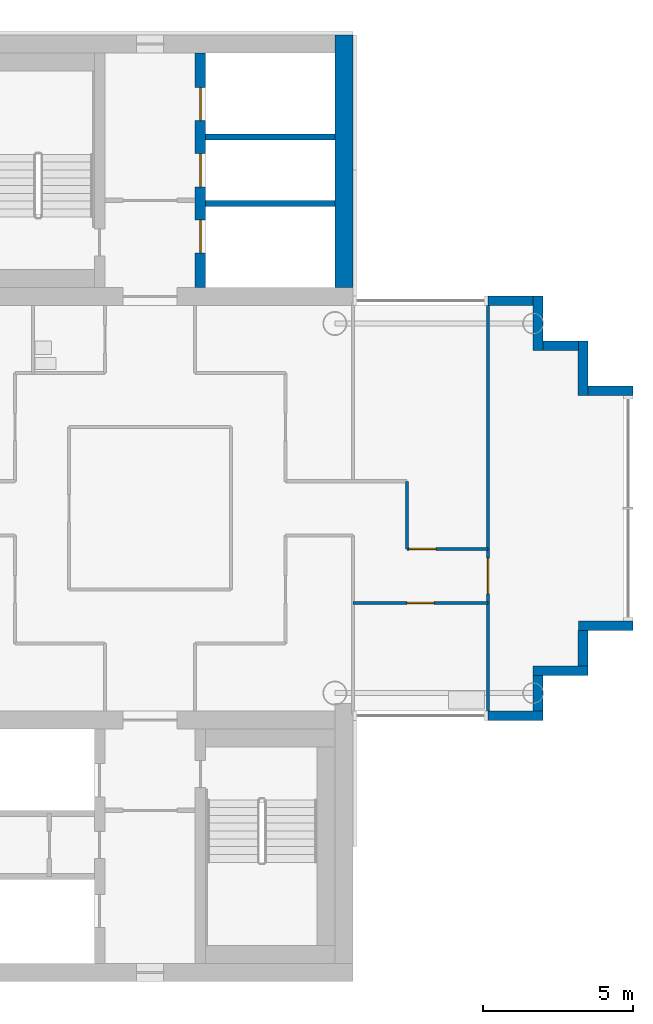
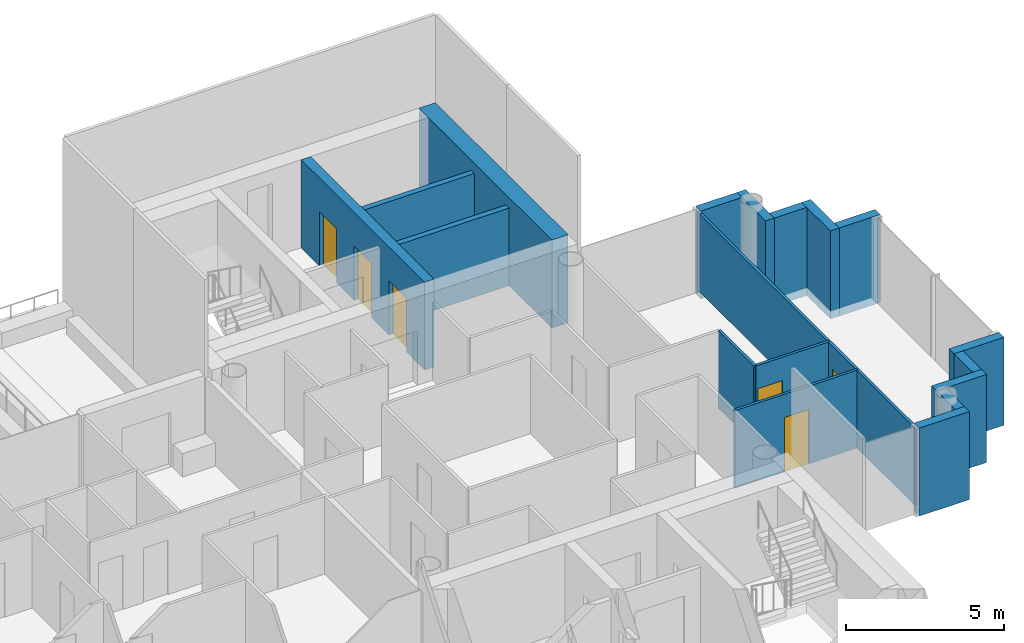
# One storey, part 11 of 18: 18 walls, 6 doors, 6 openings.
"""IFC4 building model written with IfcOpenShell, lengths in metres."""

from ifc_helpers import new_model, si_unit, direction, frame, frame_2d, origin, place, context, subcontext, project, spatial, rectangle, extrude, material, layer, layer_set, type_object, element, fill, save


model = new_model("IFC4")

# Units and contexts
model_context = context("Model", 3, precision=1e-05, world=origin(), true_north=direction((0.0, 1.0)))
body_context = subcontext(model_context, "Body", "Model", "MODEL_VIEW")
ifc_project = project(units=[si_unit("LENGTHUNIT", "METRE"), si_unit("AREAUNIT", "SQUARE_METRE"), si_unit("VOLUMEUNIT", "CUBIC_METRE"), si_unit("PLANEANGLEUNIT", "RADIAN"), si_unit("MASSUNIT", "GRAM", prefix="KILO")], contexts=[model_context])

# Site, building, storey
site_placement = place(None, origin())
site = spatial("IfcSite", under=ifc_project, at=site_placement, CompositionType="ELEMENT")
building_placement = place(site_placement, origin())
building = spatial("IfcBuilding", under=site, at=building_placement, Name="Ipe Terrace Towers", CompositionType="ELEMENT")
storey_placement = place(building_placement, frame((0.0, 0.0, 199.39990234375)))
storey = spatial("IfcBuildingStorey", under=building, at=storey_placement, Name="L55", CompositionType="ELEMENT", Elevation=199.39990234375)

# Walls
ifc_material_1 = material(Name="Concrete C40/50 with buff precast cladding", Category="concrete")
ifc_layer_1 = layer(ifc_material_1, 0.320068359375)
ifc_layer_set_1 = layer_set([ifc_layer_1], Name="BUFF CLADDING WALL 320")
wall_type_1 = type_object("IfcWallType", Name="BUFF CLADDING WALL 320", PredefinedType="STANDARD", material=ifc_layer_set_1)
wall_1_placement = place(storey_placement, frame((47.25, -6.909912109375, -0.2998046875), z_axis=(0.0, 0.0, 1.0), x_axis=(1.0, 0.0, 0.0)))
element("IfcWall", 1, at=wall_1_placement, inside=storey, type_object=wall_type_1, Name="T2-W-L55-03a wall", PredefinedType="STANDARD", context=body_context, shape_type="SweptSolid", body=[
    extrude(rectangle(XDim=1.820068359375, YDim=0.320068359375, at=frame_2d((0.91015625, 0.0))), origin(), (0.0, 0.0, 1.0), 3.39990234375),
])
wall_2_placement = place(storey_placement, frame((48.909912109375, -6.75, -0.2998046875), z_axis=(0.0, 0.0, 1.0), x_axis=(0.0, 1.0, 0.0)))
element("IfcWall", 2, at=wall_2_placement, inside=storey, type_object=wall_type_1, Name="T2-W-L55-04a wall", PredefinedType="STANDARD", context=body_context, shape_type="SweptSolid", body=[
    extrude(rectangle(XDim=1.179931640625, YDim=0.320068359375, at=frame_2d((0.58984375, 0.0))), origin(), (0.0, 0.0, 1.0), 3.39990234375),
])
wall_3_placement = place(storey_placement, frame((48.75, -5.409912109375, -0.2998046875), z_axis=(0.0, 0.0, 1.0), x_axis=(1.0, 0.0, 0.0)))
element("IfcWall", 3, at=wall_3_placement, inside=storey, type_object=wall_type_1, Name="T2-W-L55-05a wall", PredefinedType="STANDARD", context=body_context, shape_type="SweptSolid", body=[
    extrude(rectangle(XDim=1.820068359375, YDim=0.320068359375, at=frame_2d((0.91015625, 0.0))), origin(), (0.0, 0.0, 1.0), 3.39990234375),
])
wall_4_placement = place(storey_placement, frame((50.409912109375, -5.25, -0.2998046875), z_axis=(0.0, 0.0, 1.0), x_axis=(0.0, 1.0, 0.0)))
element("IfcWall", 4, at=wall_4_placement, inside=storey, type_object=wall_type_1, Name="T2-W-L55-06a wall", PredefinedType="STANDARD", context=body_context, shape_type="SweptSolid", body=[
    extrude(rectangle(XDim=1.179931640625, YDim=0.320068359375, at=frame_2d((0.58984375, 0.0))), origin(), (0.0, 0.0, 1.0), 3.39990234375),
])
wall_5_placement = place(storey_placement, frame((50.25, -3.909912109375, -0.2998046875), z_axis=(0.0, 0.0, 1.0), x_axis=(1.0, 0.0, 0.0)))
element("IfcWall", 5, at=wall_5_placement, inside=storey, type_object=wall_type_1, Name="T2-W-L55-07a wall", PredefinedType="STANDARD", context=body_context, shape_type="SweptSolid", body=[
    extrude(rectangle(XDim=1.820068359375, YDim=0.320068359375, at=frame_2d((0.91015625, 0.0))), origin(), (0.0, 0.0, 1.0), 3.39990234375),
])
wall_6_placement = place(storey_placement, frame((52.070068359375, 3.909912109375, -0.2998046875), z_axis=(0.0, 0.0, 1.0), x_axis=(-1.0, 0.0, 0.0)))
element("IfcWall", 6, at=wall_6_placement, inside=storey, type_object=wall_type_1, Name="T2-W-L55-09a wall", PredefinedType="STANDARD", context=body_context, shape_type="SweptSolid", body=[
    extrude(rectangle(XDim=1.5, YDim=0.320068359375, at=frame_2d((0.75, 0.0))), origin(), (0.0, 0.0, 1.0), 3.39990234375),
])
wall_7_placement = place(storey_placement, frame((50.409912109375, 3.75, -0.2998046875), z_axis=(0.0, 0.0, 1.0), x_axis=(0.0, 1.0, 0.0)))
element("IfcWall", 7, at=wall_7_placement, inside=storey, type_object=wall_type_1, Name="T2-W-L55-10a wall", PredefinedType="STANDARD", context=body_context, shape_type="SweptSolid", body=[
    extrude(rectangle(XDim=1.820068359375, YDim=0.320068359375, at=frame_2d((0.91015625, 0.0))), origin(), (0.0, 0.0, 1.0), 3.39990234375),
])
wall_8_placement = place(storey_placement, frame((50.25, 5.409912109375, -0.2998046875), z_axis=(0.0, 0.0, 1.0), x_axis=(-1.0, 0.0, 0.0)))
element("IfcWall", 8, at=wall_8_placement, inside=storey, type_object=wall_type_1, Name="T2-W-L55-11a wall", PredefinedType="STANDARD", context=body_context, shape_type="SweptSolid", body=[
    extrude(rectangle(XDim=1.179931640625, YDim=0.320068359375, at=frame_2d((0.58984375, 0.0))), origin(), (0.0, 0.0, 1.0), 3.39990234375),
])
wall_9_placement = place(storey_placement, frame((48.909912109375, 5.25, -0.2998046875), z_axis=(0.0, 0.0, 1.0), x_axis=(0.0, 1.0, 0.0)))
element("IfcWall", 9, at=wall_9_placement, inside=storey, type_object=wall_type_1, Name="T2-W-L55-12a wall", PredefinedType="STANDARD", context=body_context, shape_type="SweptSolid", body=[
    extrude(rectangle(XDim=1.820068359375, YDim=0.320068359375, at=frame_2d((0.91015625, 0.0))), origin(), (0.0, 0.0, 1.0), 3.39990234375),
])
wall_10_placement = place(storey_placement, frame((48.75, 6.909912109375, -0.2998046875), z_axis=(0.0, 0.0, 1.0), x_axis=(-1.0, 0.0, 0.0)))
element("IfcWall", 10, at=wall_10_placement, inside=storey, type_object=wall_type_1, Name="T2-W-L55-13a wall", PredefinedType="STANDARD", context=body_context, shape_type="SweptSolid", body=[
    extrude(rectangle(XDim=1.5, YDim=0.320068359375, at=frame_2d((0.75, 0.0))), origin(), (0.0, 0.0, 1.0), 3.39990234375),
])

# Wall, opening, door
ifc_material_2 = material(Name="Gypsum board partition", Category="plasterboard")
ifc_layer_2 = layer(ifc_material_2, 0.10009765625)
ifc_layer_set_2 = layer_set([ifc_layer_2], Name="Gypsum board partition 100 mm")
wall_type_2 = type_object("IfcWallType", Name="Gypsum board partition 100 mm", PredefinedType="PARTITIONING", material=ifc_layer_set_2)
wall_11_placement = place(storey_placement, frame((47.25, -3.14990234375, 0.0), z_axis=(0.0, 0.0, 1.0), x_axis=(-1.0, 0.0, 0.0)))
wall_11 = element("IfcWall", 11, at=wall_11_placement, inside=storey, type_object=wall_type_2, Name="Gypsum board partition T2 L55 W04", PredefinedType="PARTITIONING", context=body_context, shape_type="SweptSolid", body=[
    extrude(rectangle(XDim=4.5, YDim=0.10009765625, at=frame_2d((2.25, 0.0))), origin(), (0.0, 0.0, 1.0), 3.0),
])
opening_1_placement = place(wall_11_placement, frame((1.800048828125, 0.0, 0.0)))
opening_1 = element("IfcOpeningElement", 12, at=opening_1_placement, cuts=wall_11, Name="Opening T2-Z4D-18", PredefinedType="OPENING", context=body_context, shape_type="SweptSolid", body=[
    extrude(rectangle(XDim=0.89990234375, YDim=2.10009765625, at=frame_2d((0.449951171875, 1.050048828125))), frame((0.0, 0.06005859375, 0.0), z_axis=(0.0, -1.0, 0.0), x_axis=(1.0, 0.0, 0.0)), (0.0, 0.0, 1.0), 0.1201171875),
])
ifc_material_3 = material(Name="Timber door leaf", Category="wood")
door_type_1 = type_object("IfcDoorType", Name="Lounge door 900 x 2100", OperationType="NOTDEFINED", PredefinedType="DOOR", material=ifc_material_3)
door_1_placement = place(opening_1_placement, origin())
door_1 = element("IfcDoor", 13, at=door_1_placement, inside=storey, type_object=door_type_1, Name="Lounge door T2-Z4D-18", OperationType="SINGLE_SWING_LEFT", OverallHeight=2.10009765625, OverallWidth=0.89990234375, PredefinedType="DOOR", context=body_context, shape_type="SweptSolid", body=[
    extrude(rectangle(XDim=0.89990234375, YDim=2.10009765625, at=frame_2d((0.449951171875, 1.050048828125))), frame((0.0, 0.02490234375, 0.0), z_axis=(0.0, -1.0, 0.0), x_axis=(1.0, 0.0, 0.0)), (0.0, 0.0, 1.0), 0.050048828125),
])
fill(opening_1, door_1)

wall_12_placement = place(storey_placement, frame((47.25, -1.35009765625, 0.0), z_axis=(0.0, 0.0, 1.0), x_axis=(-1.0, 0.0, 0.0)))
wall_12 = element("IfcWall", 14, at=wall_12_placement, inside=storey, type_object=wall_type_2, Name="Gypsum board partition T2 L55 W07", PredefinedType="PARTITIONING", context=body_context, shape_type="SweptSolid", body=[
    extrude(rectangle(XDim=2.699951171875, YDim=0.10009765625, at=frame_2d((1.35009765625, 0.0))), origin(), (0.0, 0.0, 1.0), 3.0),
])
opening_2_placement = place(wall_12_placement, frame((1.72998046875, 0.0, 0.0)))
opening_2 = element("IfcOpeningElement", 15, at=opening_2_placement, cuts=wall_12, Name="Opening T2-Z4D-17", PredefinedType="OPENING", context=body_context, shape_type="SweptSolid", body=[
    extrude(rectangle(XDim=0.89990234375, YDim=2.10009765625, at=frame_2d((0.449951171875, 1.050048828125))), frame((0.0, 0.06005859375, 0.0), z_axis=(0.0, -1.0, 0.0), x_axis=(1.0, 0.0, 0.0)), (0.0, 0.0, 1.0), 0.1201171875),
])
door_2_placement = place(opening_2_placement, origin())
door_2 = element("IfcDoor", 16, at=door_2_placement, inside=storey, type_object=door_type_1, Name="Lounge door T2-Z4D-17", OperationType="SINGLE_SWING_RIGHT", OverallHeight=2.10009765625, OverallWidth=0.89990234375, PredefinedType="DOOR", context=body_context, shape_type="SweptSolid", body=[
    extrude(rectangle(XDim=0.89990234375, YDim=2.10009765625, at=frame_2d((0.449951171875, 1.050048828125))), frame((0.0, 0.02490234375, 0.0), z_axis=(0.0, -1.0, 0.0), x_axis=(1.0, 0.0, 0.0)), (0.0, 0.0, 1.0), 0.050048828125),
])
fill(opening_2, door_2)

wall_13_placement = place(storey_placement, frame((47.25, -6.85009765625, 0.0), z_axis=(0.0, 0.0, 1.0), x_axis=(0.0, 1.0, 0.0)))
wall_13 = element("IfcWall", 17, at=wall_13_placement, inside=storey, type_object=wall_type_2, Name="Gypsum board partition T2 L55 W19", PredefinedType="PARTITIONING", context=body_context, shape_type="SweptSolid", body=[
    extrude(rectangle(XDim=13.7001953125, YDim=0.10009765625, at=frame_2d((6.85009765625, 0.0))), origin(), (0.0, 0.0, 1.0), 3.0),
])
opening_3_placement = place(wall_13_placement, frame((4.0, 0.0, 0.0)))
opening_3 = element("IfcOpeningElement", 18, at=opening_3_placement, cuts=wall_13, Name="Opening T2-Z4D-19", PredefinedType="OPENING", context=body_context, shape_type="SweptSolid", body=[
    extrude(rectangle(XDim=1.199951171875, YDim=2.10009765625, at=frame_2d((0.60009765625, 1.050048828125))), frame((0.0, 0.06005859375, 0.0), z_axis=(0.0, -1.0, 0.0), x_axis=(1.0, 0.0, 0.0)), (0.0, 0.0, 1.0), 0.1201171875),
])
ifc_material_4 = material(Name="Timber door leaf", Category="wood")
door_type_2 = type_object("IfcDoorType", Name="Lounge door 1200 x 2100", OperationType="NOTDEFINED", PredefinedType="DOOR", material=ifc_material_4)
door_3_placement = place(opening_3_placement, origin())
door_3 = element("IfcDoor", 19, at=door_3_placement, inside=storey, type_object=door_type_2, Name="Lounge door T2-Z4D-19", OperationType="SINGLE_SWING_LEFT", OverallHeight=2.10009765625, OverallWidth=1.199951171875, PredefinedType="DOOR", context=body_context, shape_type="SweptSolid", body=[
    extrude(rectangle(XDim=1.199951171875, YDim=2.10009765625, at=frame_2d((0.60009765625, 1.050048828125))), frame((0.0, 0.02490234375, 0.0), z_axis=(0.0, -1.0, 0.0), x_axis=(1.0, 0.0, 0.0)), (0.0, 0.0, 1.0), 0.050048828125),
])
fill(opening_3, door_3)

# Walls
wall_14_placement = place(storey_placement, frame((44.550048828125, -1.35009765625, 0.0), z_axis=(0.0, 0.0, 1.0), x_axis=(0.0, 1.0, 0.0)))
element("IfcWall", 20, at=wall_14_placement, inside=storey, type_object=wall_type_2, Name="Gypsum board partition T2 L55 W20", PredefinedType="PARTITIONING", context=body_context, shape_type="SweptSolid", body=[
    extrude(rectangle(XDim=2.25, YDim=0.10009765625, at=frame_2d((1.125, 0.0))), origin(), (0.0, 0.0, 1.0), 3.0),
])
ifc_material_5 = material(Name="Gypsum board party wall", Category="plasterboard")
ifc_layer_3 = layer(ifc_material_5, 0.199951171875)
ifc_layer_set_3 = layer_set([ifc_layer_3], Name="Gypsum board party wall 200 mm")
wall_type_3 = type_object("IfcWallType", Name="Gypsum board party wall 200 mm", PredefinedType="SOLIDWALL", material=ifc_layer_set_3)
for number, where, z_axis, x_axis, name in (
    (21, (42.14990234375, 10.14990234375, 0.0), (0.0, 0.0, 1.0), (-1.0, 0.0, 0.0), "Gypsum board party wall T2 L55 t2c1-shaft-div1"),
    (22, (42.14990234375, 12.35009765625, 0.0), (0.0, 0.0, 1.0), (-1.0, 0.0, 0.0), "Gypsum board party wall T2 L55 t2c1-shaft-div2"),
):
    element("IfcWall", number, at=place(storey_placement, frame(where, z_axis=z_axis, x_axis=x_axis)), inside=storey, type_object=wall_type_3, Name=name, PredefinedType="SOLIDWALL", context=body_context, shape_type="SweptSolid", body=[
        extrude(rectangle(XDim=4.2998046875, YDim=0.199951171875, at=frame_2d((2.14990234375, 0.0))), origin(), (0.0, 0.0, 1.0), 3.0),
    ])

# Wall, openings, doors
ifc_material_6 = material(Name="Concrete C40/50", Category="concrete")
ifc_layer_4 = layer(ifc_material_6, 0.35009765625)
ifc_layer_set_4 = layer_set([ifc_layer_4], Name="RW350 CORE SPINE WALL 350 C40-50")
wall_type_4 = type_object("IfcWallType", Name="RW350 CORE SPINE WALL 350 C40-50", PredefinedType="SHEAR", material=ifc_layer_set_4)
wall_15_placement = place(storey_placement, frame((37.675048828125, 7.35009765625, 0.0), z_axis=(0.0, 0.0, 1.0), x_axis=(0.0, 1.0, 0.0)))
wall_15 = element("IfcWall", 23, at=wall_15_placement, inside=storey, type_object=wall_type_4, Name="Core spine wall T2-C1-Z4-SW2", PredefinedType="SHEAR", context=body_context, shape_type="SweptSolid", body=[
    extrude(rectangle(XDim=7.7998046875, YDim=0.35009765625, at=frame_2d((3.89990234375, 0.0))), origin(), (0.0, 0.0, 1.0), 3.400146484375),
])
opening_4_placement = place(wall_15_placement, frame((1.14990234375, 0.0, 0.0)))
opening_4 = element("IfcOpeningElement", 24, at=opening_4_placement, cuts=wall_15, Name="Opening T2C1-LD1", PredefinedType="OPENING", context=body_context, shape_type="SweptSolid", body=[
    extrude(rectangle(XDim=1.10009765625, YDim=2.10009765625, at=frame_2d((0.550048828125, 1.050048828125))), frame((0.0, 0.18505859375, 0.0), z_axis=(0.0, -1.0, 0.0), x_axis=(1.0, 0.0, 0.0)), (0.0, 0.0, 1.0), 0.3701171875),
])
opening_5_placement = place(wall_15_placement, frame((3.35009765625, 0.0, 0.0)))
opening_5 = element("IfcOpeningElement", 25, at=opening_5_placement, cuts=wall_15, Name="Opening T2C1-LD2", PredefinedType="OPENING", context=body_context, shape_type="SweptSolid", body=[
    extrude(rectangle(XDim=1.10009765625, YDim=2.10009765625, at=frame_2d((0.550048828125, 1.050048828125))), frame((0.0, 0.18505859375, 0.0), z_axis=(0.0, -1.0, 0.0), x_axis=(1.0, 0.0, 0.0)), (0.0, 0.0, 1.0), 0.3701171875),
])
opening_6_placement = place(wall_15_placement, frame((5.550048828125, 0.0, 0.0)))
opening_6 = element("IfcOpeningElement", 26, at=opening_6_placement, cuts=wall_15, Name="Opening T2C1-LD3", PredefinedType="OPENING", context=body_context, shape_type="SweptSolid", body=[
    extrude(rectangle(XDim=1.10009765625, YDim=2.10009765625, at=frame_2d((0.550048828125, 1.050048828125))), frame((0.0, 0.18505859375, 0.0), z_axis=(0.0, -1.0, 0.0), x_axis=(1.0, 0.0, 0.0)), (0.0, 0.0, 1.0), 0.3701171875),
])
ifc_material_7 = material(Name="Fire-rated timber door leaf", Category="wood")
door_type_3 = type_object("IfcDoorType", Name="Sliding door 1100 x 2100 FD60", OperationType="SLIDING_TO_LEFT", PredefinedType="DOOR", material=ifc_material_7)
door_4_placement = place(opening_4_placement, origin())
door_4 = element("IfcDoor", 27, at=door_4_placement, inside=storey, type_object=door_type_3, Name="Sliding door T2C1-LD1", OperationType="SLIDING_TO_LEFT", OverallHeight=2.10009765625, OverallWidth=1.10009765625, PredefinedType="DOOR", context=body_context, shape_type="SweptSolid", body=[
    extrude(rectangle(XDim=1.10009765625, YDim=2.10009765625, at=frame_2d((0.550048828125, 1.050048828125))), frame((0.0, 0.02490234375, 0.0), z_axis=(0.0, -1.0, 0.0), x_axis=(1.0, 0.0, 0.0)), (0.0, 0.0, 1.0), 0.050048828125),
])
fill(opening_4, door_4)
door_5_placement = place(opening_5_placement, origin())
door_5 = element("IfcDoor", 28, at=door_5_placement, inside=storey, type_object=door_type_3, Name="Sliding door T2C1-LD2", OperationType="SLIDING_TO_LEFT", OverallHeight=2.10009765625, OverallWidth=1.10009765625, PredefinedType="DOOR", context=body_context, shape_type="SweptSolid", body=[
    extrude(rectangle(XDim=1.10009765625, YDim=2.10009765625, at=frame_2d((0.550048828125, 1.050048828125))), frame((0.0, 0.02490234375, 0.0), z_axis=(0.0, -1.0, 0.0), x_axis=(1.0, 0.0, 0.0)), (0.0, 0.0, 1.0), 0.050048828125),
])
fill(opening_5, door_5)
door_6_placement = place(opening_6_placement, origin())
door_6 = element("IfcDoor", 29, at=door_6_placement, inside=storey, type_object=door_type_3, Name="Sliding door T2C1-LD3", OperationType="SLIDING_TO_LEFT", OverallHeight=2.10009765625, OverallWidth=1.10009765625, PredefinedType="DOOR", context=body_context, shape_type="SweptSolid", body=[
    extrude(rectangle(XDim=1.10009765625, YDim=2.10009765625, at=frame_2d((0.550048828125, 1.050048828125))), frame((0.0, 0.02490234375, 0.0), z_axis=(0.0, -1.0, 0.0), x_axis=(1.0, 0.0, 0.0)), (0.0, 0.0, 1.0), 0.050048828125),
])
fill(opening_6, door_6)

# Wall
ifc_material_8 = material(Name="Concrete C40/50", Category="concrete")
ifc_layer_5 = layer(ifc_material_8, 0.60009765625)
ifc_layer_set_5 = layer_set([ifc_layer_5], Name="RW600 CORE WALL 600 C40-50")
wall_type_5 = type_object("IfcWallType", Name="RW600 CORE WALL 600 C40-50", PredefinedType="SHEAR", material=ifc_layer_set_5)
wall_16_placement = place(storey_placement, frame((42.449951171875, 7.35009765625, 0.0), z_axis=(0.0, 0.0, 1.0), x_axis=(0.0, 1.0, 0.0)))
element("IfcWall", 30, at=wall_16_placement, inside=storey, type_object=wall_type_5, Name="Core wall T2-C1-Z4-W02", PredefinedType="SHEAR", context=body_context, shape_type="SweptSolid", body=[
    extrude(rectangle(XDim=8.39990234375, YDim=0.60009765625, at=frame_2d((4.199951171875, 0.0))), origin(), (0.0, 0.0, 1.0), 3.400146484375),
])

save(model, "model.ifc")
